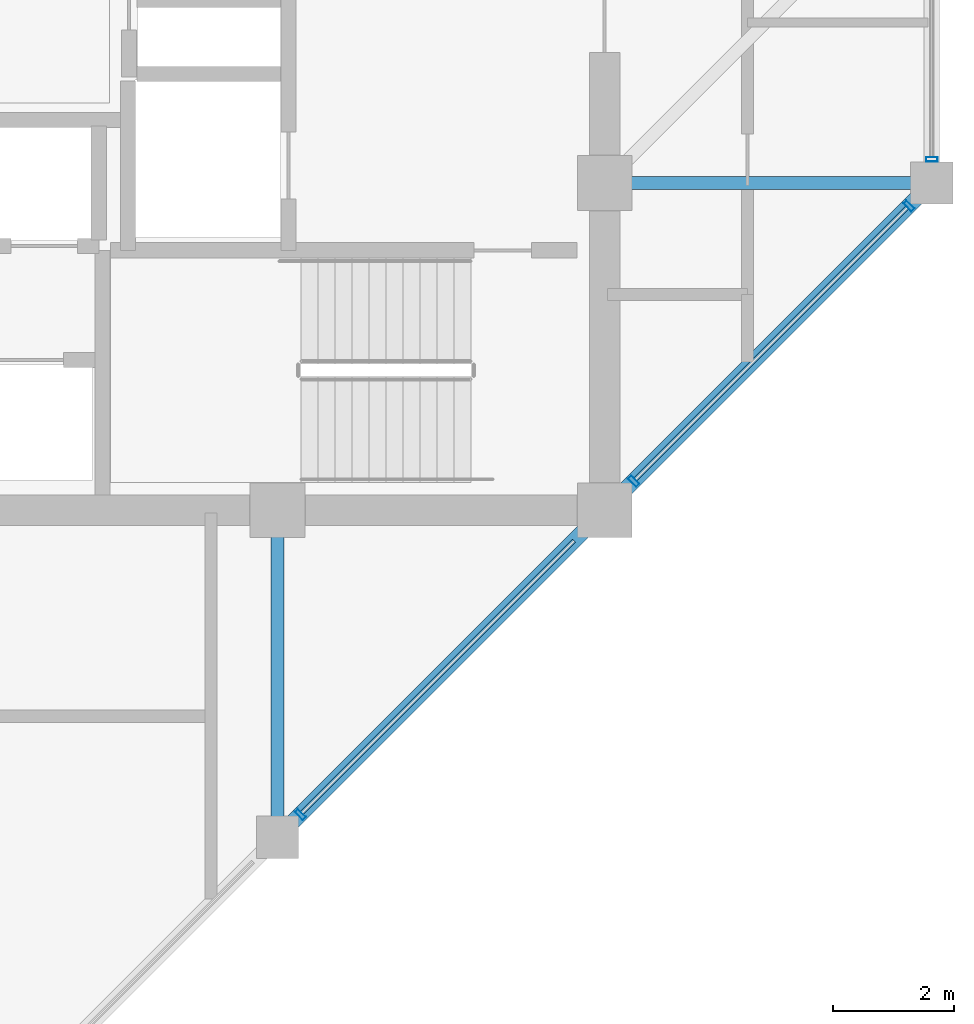
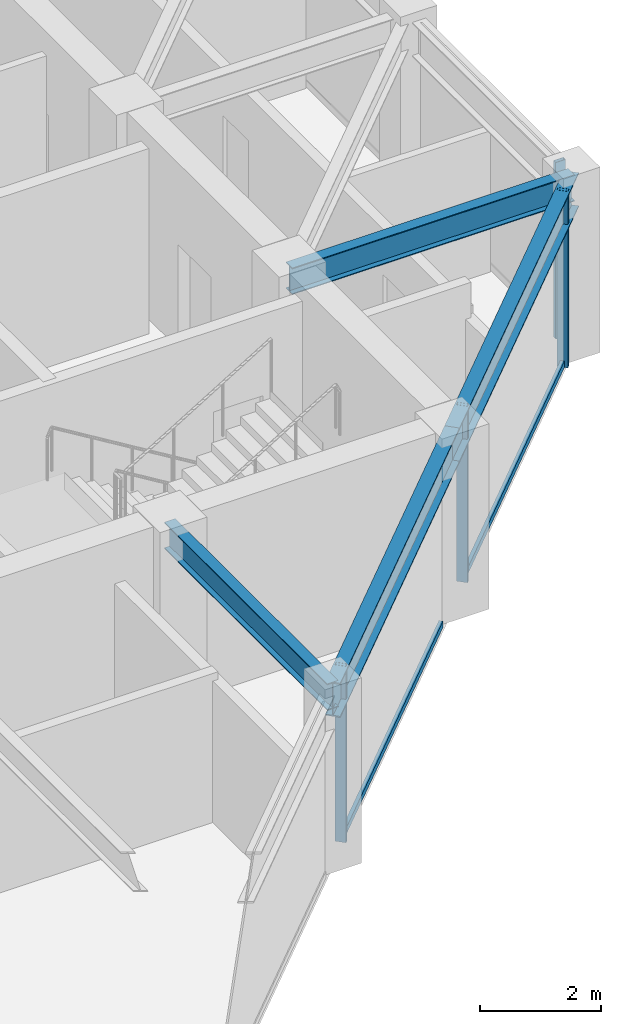
# One storey, part 12 of 31: 6 members, 4 beams, 2 elements without a shape of their own.
"""IFC4 building model written with IfcOpenShell, lengths in metres."""

from ifc_helpers import new_model, si_unit, direction, frame, origin, origin_2d, place, context, subcontext, project, spatial, hollow_rectangle, i_section, extrude, material, layer, layer_set, material_profile, profile_set, type_object, element, aggregate, save


model = new_model("IFC4")

# Units and contexts
model_context = context("Model", 3, precision=1e-05, world=origin(), true_north=direction((0.0, 1.0)))
body_context = subcontext(model_context, "Body", "Model", "MODEL_VIEW")
ifc_project = project(units=[si_unit("LENGTHUNIT", "METRE"), si_unit("AREAUNIT", "SQUARE_METRE"), si_unit("VOLUMEUNIT", "CUBIC_METRE"), si_unit("PLANEANGLEUNIT", "RADIAN"), si_unit("MASSUNIT", "GRAM", prefix="KILO")], contexts=[model_context])

# Site, building, storey
site_placement = place(None, origin())
site = spatial("IfcSite", under=ifc_project, at=site_placement, CompositionType="ELEMENT")
building_placement = place(site_placement, origin())
building = spatial("IfcBuilding", under=site, at=building_placement, Name="Surkhivell Harbour Commons", CompositionType="ELEMENT")
storey_placement = place(building_placement, frame((0.0, 0.0, 285.0)))
storey = spatial("IfcBuildingStorey", under=building, at=storey_placement, Name="L74", CompositionType="ELEMENT", Elevation=285.0)

# Beams
ifc_material_1 = material(Name="Steel S355", Category="steel")
ifc_material_profile_1 = material_profile(ifc_material_1, i_section(OverallWidth=0.2099609375, OverallDepth=0.537109375, WebThickness=0.0107421875, FlangeThickness=0.017333984375, at=origin_2d()), Name="UB533x210x101")
ifc_profile_set_1 = profile_set([ifc_material_profile_1], Name="Steel S355")
beam_type_1 = type_object("IfcBeamType", Name="BM-GRD-533B", PredefinedType="BEAM", material=ifc_profile_set_1)
for number, where, z_axis, x_axis, name in (
    (1, (5.39990234375, -16.199951171875, 3.301513671875), (0.0, 1.0, 0.0), (-1.0, 0.0, 0.0), "L74 Floor Girder (5.4,-16.2)"),
    (2, (10.800048828125, -5.39990234375, 3.301513671875), (1.0, 0.0, 0.0), (0.0, 1.0, 0.0), "L74 Floor Girder (10.8,-5.4)"),
):
    element("IfcBeam", number, at=place(storey_placement, frame(where, z_axis=z_axis, x_axis=x_axis)), inside=storey, type_object=beam_type_1, Name=name, PredefinedType="BEAM", context=body_context, shape_type="SweptSolid", body=[
        extrude(i_section(OverallWidth=0.2099609375, OverallDepth=0.537109375, WebThickness=0.0107421875, FlangeThickness=0.017333984375, at=origin_2d()), origin(), (0.0, 0.0, 1.0), 5.39990234375),
    ])
ifc_material_profile_2 = material_profile(ifc_material_1, i_section(OverallWidth=0.256103515625, OverallDepth=0.693115234375, WebThickness=0.014404296875, FlangeThickness=0.023681640625, at=origin_2d()), Name="UB686x254x170")
ifc_profile_set_2 = profile_set([ifc_material_profile_2], Name="Steel S355")
beam_type_2 = type_object("IfcBeamType", Name="BM-SPN-686", PredefinedType="SPANDREL", material=ifc_profile_set_2)
for number, where, z_axis, x_axis, name in (
    (3, (5.39990234375, -16.199951171875, 3.223388671875), (0.707122765516, 0.707090796496, 0.0), (-0.707090796496, 0.707122765516, 0.0), "L74 Tube Spandrel (5.4,-16.2)"),
    (4, (10.800048828125, -10.800048828125, 3.223388671875), (0.707090796496, 0.707122765516, 0.0), (-0.707122765516, 0.707090796496, 0.0), "L74 Tube Spandrel (10.8,-10.8)"),
):
    element("IfcBeam", number, at=place(storey_placement, frame(where, z_axis=z_axis, x_axis=x_axis)), inside=storey, type_object=beam_type_2, Name=name, PredefinedType="SPANDREL", context=body_context, shape_type="SweptSolid", body=[
        extrude(i_section(OverallWidth=0.256103515625, OverallDepth=0.693115234375, WebThickness=0.014404296875, FlangeThickness=0.023681640625, at=origin_2d()), origin(), (0.0, 0.0, 1.0), 7.63671875),
    ])

# Curtain wall, members
ifc_material_2 = material(Name="Anodised pale-metal aluminium and insulated glazing", Category="aluminium")
ifc_layer = layer(ifc_material_2, 0.175048828125)
ifc_layer_set = layer_set([ifc_layer], Name="Anodised pale-metal aluminium and insulated glazing")
curtain_wall_type = type_object("IfcCurtainWallType", Name="CW-SYS-Z4", PredefinedType="NOTDEFINED", material=ifc_layer_set)
curtain_wall_1_placement = place(storey_placement, origin())
curtain_wall_1 = element("IfcCurtainWall", 5, at=curtain_wall_1_placement, inside=storey, type_object=curtain_wall_type, Name="L74 Curtain Wall CW-L74-E01", PredefinedType="NOTDEFINED")
ifc_material_3 = material(Name="Anodised pale-metal aluminium alloy 6063-T6", Category="aluminium")
ifc_material_profile_3 = material_profile(ifc_material_3, hollow_rectangle(XDim=0.074951171875, YDim=0.18994140625, WallThickness=0.00390625, at=origin_2d()), Name="ALU-MULL-75x190")
ifc_profile_set_3 = profile_set([ifc_material_profile_3], Name="Anodised pale-metal aluminium alloy 6063-T6")
member_type_1 = type_object("IfcMemberType", Name="CWM-190", PredefinedType="MULLION", material=ifc_profile_set_3)
member_1_placement = place(storey_placement, frame((5.778076171875, -15.82177734375, 0.0), z_axis=(0.0, 0.0, 1.0), x_axis=(0.707106781187, 0.707106781187, 0.0)))
member_1 = element("IfcMember", 6, at=member_1_placement, type_object=member_type_1, Name="CW-Z4 mullion 2", PredefinedType="MULLION", context=body_context, shape_type="SweptSolid", body=[
    extrude(hollow_rectangle(XDim=0.074951171875, YDim=0.18994140625, WallThickness=0.00390625, at=origin_2d()), origin(), (0.0, 0.0, 1.0), 3.570068359375),
])
member_2_placement = place(storey_placement, frame((11.278076171875, -10.32177734375, 0.0), z_axis=(0.0, 0.0, 1.0), x_axis=(0.707106781187, 0.707106781187, 0.0)))
member_2 = element("IfcMember", 7, at=member_2_placement, type_object=member_type_1, Name="CW-Z4 mullion 3", PredefinedType="MULLION", context=body_context, shape_type="SweptSolid", body=[
    extrude(hollow_rectangle(XDim=0.074951171875, YDim=0.18994140625, WallThickness=0.00390625, at=origin_2d()), origin(), (0.0, 0.0, 1.0), 3.570068359375),
])
member_3_placement = place(storey_placement, frame((15.82177734375, -5.778076171875, 0.0), z_axis=(0.0, 0.0, 1.0), x_axis=(0.707106781187, 0.707106781187, 0.0)))
member_3 = element("IfcMember", 8, at=member_3_placement, type_object=member_type_1, Name="CW-Z4 mullion 4", PredefinedType="MULLION", context=body_context, shape_type="SweptSolid", body=[
    extrude(hollow_rectangle(XDim=0.074951171875, YDim=0.18994140625, WallThickness=0.00390625, at=origin_2d()), origin(), (0.0, 0.0, 1.0), 3.570068359375),
])

# Curtain wall, member
curtain_wall_2_placement = place(storey_placement, origin())
curtain_wall_2 = element("IfcCurtainWall", 9, at=curtain_wall_2_placement, inside=storey, type_object=curtain_wall_type, Name="L74 Curtain Wall CW-L74-E02", PredefinedType="NOTDEFINED")
member_4_placement = place(storey_placement, frame((16.199951171875, -5.010498046875, 0.0), z_axis=(0.0, 0.0, 1.0), x_axis=(0.0, 1.0, 0.0)))
member_4 = element("IfcMember", 10, at=member_4_placement, type_object=member_type_1, Name="CW-Z4 mullion 1", PredefinedType="MULLION", context=body_context, shape_type="SweptSolid", body=[
    extrude(hollow_rectangle(XDim=0.074951171875, YDim=0.18994140625, WallThickness=0.00390625, at=origin_2d()), origin(), (0.0, 0.0, 1.0), 3.570068359375),
])
aggregate(curtain_wall_2, [member_4])

# Member
ifc_material_4 = material(Name="Champagne anodised aluminium alloy 6063-T6", Category="aluminium")
ifc_material_profile_4 = material_profile(ifc_material_4, hollow_rectangle(XDim=0.070068359375, YDim=0.1298828125, WallThickness=0.00341796875, at=origin_2d()), Name="ALU-TRAN-70x130")
ifc_profile_set_4 = profile_set([ifc_material_profile_4], Name="Champagne anodised aluminium alloy 6063-T6")
member_type_2 = type_object("IfcMemberType", Name="CWT-130", PredefinedType="USERDEFINED", material=ifc_profile_set_4)
member_5_placement = place(storey_placement, frame((5.8046875, -15.79541015625, 0.06494140625), z_axis=(0.707106781187, 0.707106781187, 0.0), x_axis=(-0.707106781187, 0.707106781187, 0.0)))
member_5 = element("IfcMember", 11, at=member_5_placement, type_object=member_type_2, Name="CW-Z4 transom 2.1", ObjectType="TRANSOM", PredefinedType="USERDEFINED", context=body_context, shape_type="SweptSolid", body=[
    extrude(hollow_rectangle(XDim=0.070068359375, YDim=0.1298828125, WallThickness=0.00341796875, at=origin_2d()), origin(), (0.0, 0.0, 1.0), 6.350830078125),
])

member_6_placement = place(storey_placement, frame((11.3046875, -10.29541015625, 0.06494140625), z_axis=(0.707106781187, 0.707106781187, 0.0), x_axis=(-0.707106781187, 0.707106781187, 0.0)))
member_6 = element("IfcMember", 12, at=member_6_placement, type_object=member_type_2, Name="CW-Z4 transom 3.1", ObjectType="TRANSOM", PredefinedType="USERDEFINED", context=body_context, shape_type="SweptSolid", body=[
    extrude(hollow_rectangle(XDim=0.070068359375, YDim=0.1298828125, WallThickness=0.00341796875, at=origin_2d()), origin(), (0.0, 0.0, 1.0), 6.350830078125),
])

aggregate(curtain_wall_1, [member_1, member_5, member_2, member_3, member_6])

save(model, "model.ifc")
